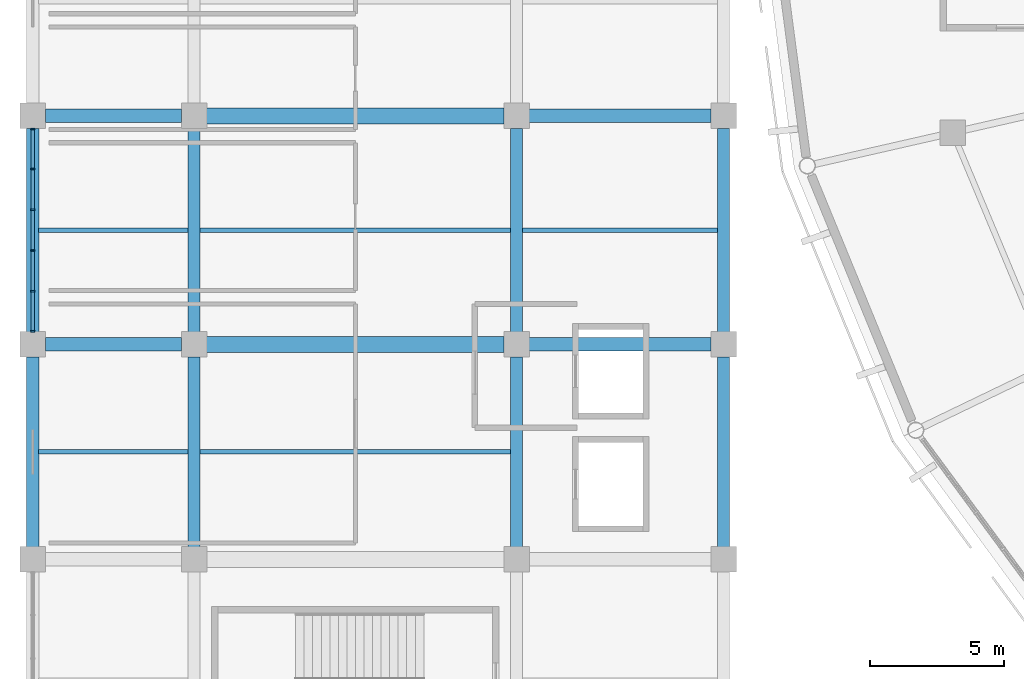
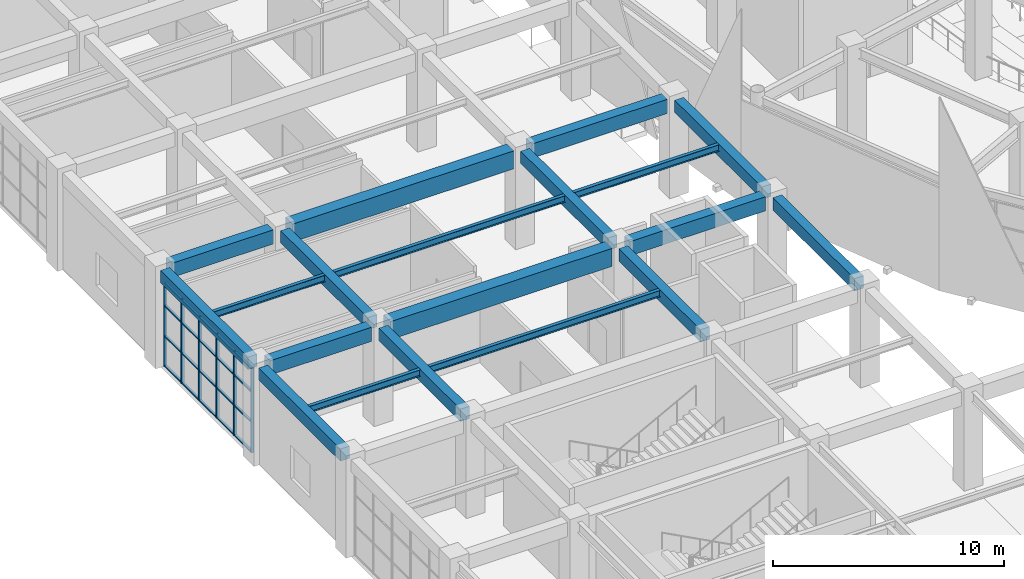
# One storey, part 18 of 120: 26 members, 19 beams, 1 element without a shape of its own.
"""IFC4 building model written with IfcOpenShell, lengths in metres."""

from ifc_helpers import new_model, si_unit, direction, frame, origin, origin_2d, place, context, subcontext, project, spatial, rectangle, i_section, extrude, material, material_profile, profile_set, type_object, element, aggregate, save


model = new_model("IFC4")

# Units and contexts
model_context = context("Model", 3, precision=1e-05, world=origin(), true_north=direction((0.0, 1.0)))
body_context = subcontext(model_context, "Body", "Model", "MODEL_VIEW")
ifc_project = project(units=[si_unit("LENGTHUNIT", "METRE"), si_unit("AREAUNIT", "SQUARE_METRE"), si_unit("VOLUMEUNIT", "CUBIC_METRE"), si_unit("PLANEANGLEUNIT", "RADIAN"), si_unit("MASSUNIT", "GRAM", prefix="KILO")], contexts=[model_context])

# Site, building, storey
site_placement = place(None, origin())
site = spatial("IfcSite", under=ifc_project, at=site_placement, CompositionType="ELEMENT")
building_placement = place(site_placement, origin())
building = spatial("IfcBuilding", under=site, at=building_placement, Name="Cuetzalor Civic Arena", CompositionType="ELEMENT")
storey_placement = place(building_placement, frame((0.0, 0.0, 6.0)))
storey = spatial("IfcBuildingStorey", under=building, at=storey_placement, Name="L01", CompositionType="ELEMENT", Elevation=6.0)

# Beams
ifc_material_1 = material(Name="Concrete C40/50", Category="concrete")
ifc_material_profile_1 = material_profile(ifc_material_1, rectangle(XDim=0.5, YDim=0.75, at=origin_2d()), Name="RC 500x750")
ifc_profile_set_1 = profile_set([ifc_material_profile_1], Name="Concrete C40/50")
beam_type_1 = type_object("IfcBeamType", Name="ConcreteFrameBeam_500x750", PredefinedType="BEAM", material=ifc_profile_set_1)
beam_1_placement = place(storey_placement, frame((-81.534912109375, -17.0, 4.7451171875), z_axis=(1.0, 0.0, 0.0), x_axis=(0.0, 1.0, 0.0)))
element("IfcBeam", 1, at=beam_1_placement, inside=storey, type_object=beam_type_1, Name="Frame Girder V4W-L01-X0360", PredefinedType="BEAM", context=body_context, shape_type="SweptSolid", body=[
    extrude(rectangle(XDim=0.5, YDim=0.75, at=origin_2d()), origin(), (0.0, 0.0, 1.0), 5.06982421875),
])
beam_2_placement = place(storey_placement, frame((-63.534912109375, -17.0, 4.7451171875), z_axis=(1.0, 0.0, 0.0), x_axis=(0.0, 1.0, 0.0)))
element("IfcBeam", 2, at=beam_2_placement, inside=storey, type_object=beam_type_1, Name="Frame Girder V4W-L01-X0362", PredefinedType="BEAM", context=body_context, shape_type="SweptSolid", body=[
    extrude(rectangle(XDim=0.5, YDim=0.75, at=origin_2d()), origin(), (0.0, 0.0, 1.0), 6.77001953125),
])
beam_3_placement = place(storey_placement, frame((-81.534912109375, -8.5, 4.7451171875), z_axis=(1.0, 0.0, 0.0), x_axis=(0.0, 1.0, 0.0)))
element("IfcBeam", 3, at=beam_3_placement, inside=storey, type_object=beam_type_1, Name="Frame Girder V4W-L01-X0363", PredefinedType="BEAM", context=body_context, shape_type="SweptSolid", body=[
    extrude(rectangle(XDim=0.5, YDim=0.75, at=origin_2d()), origin(), (0.0, 0.0, 1.0), 5.06982421875),
])
beam_4_placement = place(storey_placement, frame((-63.534912109375, -8.5, 4.7451171875), z_axis=(1.0, 0.0, 0.0), x_axis=(0.0, 1.0, 0.0)))
element("IfcBeam", 4, at=beam_4_placement, inside=storey, type_object=beam_type_1, Name="Frame Girder V4W-L01-X0365", PredefinedType="BEAM", context=body_context, shape_type="SweptSolid", body=[
    extrude(rectangle(XDim=0.5, YDim=0.75, at=origin_2d()), origin(), (0.0, 0.0, 1.0), 6.77001953125),
])
ifc_material_2 = material(Name="Concrete C40/50", Category="concrete")
ifc_material_profile_2 = material_profile(ifc_material_2, rectangle(XDim=0.60009765625, YDim=0.949951171875, at=origin_2d()), Name="RC 600x950")
ifc_profile_set_2 = profile_set([ifc_material_profile_2], Name="Concrete C40/50")
beam_type_2 = type_object("IfcBeamType", Name="ConcreteFrameBeam_600x950", PredefinedType="BEAM", material=ifc_profile_set_2)
for number, where, z_axis, x_axis, name in (
    (5, (-75.534912109375, -17.0, 4.64501953125), (1.0, 0.0, 0.0), (0.0, 1.0, 0.0), "Frame Girder V4W-L01-X0361"),
    (6, (-75.534912109375, -8.5, 4.64501953125), (1.0, 0.0, 0.0), (0.0, 1.0, 0.0), "Frame Girder V4W-L01-X0364"),
):
    element("IfcBeam", number, at=place(storey_placement, frame(where, z_axis=z_axis, x_axis=x_axis)), inside=storey, type_object=beam_type_2, Name=name, PredefinedType="BEAM", context=body_context, shape_type="SweptSolid", body=[
        extrude(rectangle(XDim=0.60009765625, YDim=0.949951171875, at=origin_2d()), origin(), (0.0, 0.0, 1.0), 11.06982421875),
    ])
ifc_material_3 = material(Name="Concrete C40/50", Category="concrete")
ifc_material_profile_3 = material_profile(ifc_material_3, rectangle(XDim=0.449951171875, YDim=0.64990234375, at=origin_2d()), Name="RC 450x650")
ifc_profile_set_3 = profile_set([ifc_material_profile_3], Name="Concrete C40/50")
beam_type_3 = type_object("IfcBeamType", Name="ConcreteTieBeam_450x650", PredefinedType="BEAM", material=ifc_profile_set_3)
beam_5_placement = place(storey_placement, frame((-82.0, -24.534912109375, 4.794921875), z_axis=(0.0, 1.0, 0.0), x_axis=(-1.0, 0.0, 0.0)))
element("IfcBeam", 7, at=beam_5_placement, inside=storey, type_object=beam_type_3, Name="Frame Girder V4W-L01-Y0384", PredefinedType="BEAM", context=body_context, shape_type="SweptSolid", body=[
    extrude(rectangle(XDim=0.449951171875, YDim=0.64990234375, at=origin_2d()), origin(), (0.0, 0.0, 1.0), 7.06982421875),
])
beam_6_placement = place(storey_placement, frame((-82.0, -16.534912109375, 4.794921875), z_axis=(0.0, 1.0, 0.0), x_axis=(-1.0, 0.0, 0.0)))
element("IfcBeam", 8, at=beam_6_placement, inside=storey, type_object=beam_type_3, Name="Frame Girder V4W-L01-Y0385", PredefinedType="BEAM", context=body_context, shape_type="SweptSolid", body=[
    extrude(rectangle(XDim=0.449951171875, YDim=0.64990234375, at=origin_2d()), origin(), (0.0, 0.0, 1.0), 7.56982421875),
])
beam_7_placement = place(storey_placement, frame((-76.0, -24.534912109375, 4.794921875), z_axis=(0.0, 1.0, 0.0), x_axis=(-1.0, 0.0, 0.0)))
element("IfcBeam", 9, at=beam_7_placement, inside=storey, type_object=beam_type_3, Name="Frame Girder V4W-L01-Y0394", PredefinedType="BEAM", context=body_context, shape_type="SweptSolid", body=[
    extrude(rectangle(XDim=0.449951171875, YDim=0.64990234375, at=origin_2d()), origin(), (0.0, 0.0, 1.0), 7.06982421875),
])
beam_8_placement = place(storey_placement, frame((-76.0, -16.534912109375, 4.794921875), z_axis=(0.0, 1.0, 0.0), x_axis=(-1.0, 0.0, 0.0)))
element("IfcBeam", 10, at=beam_8_placement, inside=storey, type_object=beam_type_3, Name="Frame Girder V4W-L01-Y0395", PredefinedType="BEAM", context=body_context, shape_type="SweptSolid", body=[
    extrude(rectangle(XDim=0.449951171875, YDim=0.64990234375, at=origin_2d()), origin(), (0.0, 0.0, 1.0), 7.56982421875),
])
beam_9_placement = place(storey_placement, frame((-64.0, -24.534912109375, 4.794921875), z_axis=(0.0, 1.0, 0.0), x_axis=(-1.0, 0.0, 0.0)))
element("IfcBeam", 11, at=beam_9_placement, inside=storey, type_object=beam_type_3, Name="Frame Girder V4W-L01-Y0404", PredefinedType="BEAM", context=body_context, shape_type="SweptSolid", body=[
    extrude(rectangle(XDim=0.449951171875, YDim=0.64990234375, at=origin_2d()), origin(), (0.0, 0.0, 1.0), 7.06982421875),
])
beam_10_placement = place(storey_placement, frame((-64.0, -16.534912109375, 4.794921875), z_axis=(0.0, 1.0, 0.0), x_axis=(-1.0, 0.0, 0.0)))
element("IfcBeam", 12, at=beam_10_placement, inside=storey, type_object=beam_type_3, Name="Frame Girder V4W-L01-Y0405", PredefinedType="BEAM", context=body_context, shape_type="SweptSolid", body=[
    extrude(rectangle(XDim=0.449951171875, YDim=0.64990234375, at=origin_2d()), origin(), (0.0, 0.0, 1.0), 7.56982421875),
])
beam_11_placement = place(storey_placement, frame((-56.300048828125, -24.534912109375, 4.794921875), z_axis=(0.0, 1.0, 0.0), x_axis=(-1.0, 0.0, 0.0)))
element("IfcBeam", 13, at=beam_11_placement, inside=storey, type_object=beam_type_3, Name="Frame Girder V4W-L01-Y0414", PredefinedType="BEAM", context=body_context, shape_type="SweptSolid", body=[
    extrude(rectangle(XDim=0.449951171875, YDim=0.64990234375, at=origin_2d()), origin(), (0.0, 0.0, 1.0), 7.06982421875),
])
beam_12_placement = place(storey_placement, frame((-56.300048828125, -16.534912109375, 4.794921875), z_axis=(0.0, 1.0, 0.0), x_axis=(-1.0, 0.0, 0.0)))
element("IfcBeam", 14, at=beam_12_placement, inside=storey, type_object=beam_type_3, Name="Frame Girder V4W-L01-Y0415", PredefinedType="BEAM", context=body_context, shape_type="SweptSolid", body=[
    extrude(rectangle(XDim=0.449951171875, YDim=0.64990234375, at=origin_2d()), origin(), (0.0, 0.0, 1.0), 7.56982421875),
])

# Curtain wall, members
ifc_material_4 = material(Name="Anodised dark bronze aluminium and low-E solar glass", Category="aluminium")
curtain_wall_type = type_object("IfcCurtainWallType", Name="UnitisedCW_7600x4450", PredefinedType="USERDEFINED", material=ifc_material_4)
curtain_wall_placement = place(storey_placement, origin())
curtain_wall = element("IfcCurtainWall", 15, at=curtain_wall_placement, inside=storey, type_object=curtain_wall_type, Name="V4W Suite Viewing Curtain Wall L01-110", ObjectType="UNITISED CURTAIN WALL", PredefinedType="USERDEFINED")
ifc_material_5 = material(Name="Anodised dark bronze aluminium", Category="aluminium")
ifc_material_profile_4 = material_profile(ifc_material_5, rectangle(XDim=0.06494140625, YDim=0.14990234375, at=origin_2d()), Name="ALU MULLION 65x150")
ifc_profile_set_4 = profile_set([ifc_material_profile_4], Name="Anodised dark bronze aluminium")
member_type_1 = type_object("IfcMemberType", Name="CurtainWallMullion_60x150", PredefinedType="MULLION", material=ifc_profile_set_4)
member_1_placement = place(storey_placement, frame((-82.0, -16.510498046875, 0.0), z_axis=(0.0, 0.0, 1.0), x_axis=(0.0, 1.0, 0.0)))
member_1 = element("IfcMember", 16, at=member_1_placement, type_object=member_type_1, Name="CW-38 mullion 1", PredefinedType="MULLION", context=body_context, shape_type="SweptSolid", body=[
    extrude(rectangle(XDim=0.06494140625, YDim=0.14990234375, at=origin_2d()), origin(), (0.0, 0.0, 1.0), 4.4599609375),
])
member_2_placement = place(storey_placement, frame((-82.0, -15.02587890625, 0.0), z_axis=(0.0, 0.0, 1.0), x_axis=(0.0, 1.0, 0.0)))
member_2 = element("IfcMember", 17, at=member_2_placement, type_object=member_type_1, Name="CW-38 mullion 2", PredefinedType="MULLION", context=body_context, shape_type="SweptSolid", body=[
    extrude(rectangle(XDim=0.06494140625, YDim=0.14990234375, at=origin_2d()), origin(), (0.0, 0.0, 1.0), 4.4599609375),
])
member_3_placement = place(storey_placement, frame((-82.0, -13.508544921875, 0.0), z_axis=(0.0, 0.0, 1.0), x_axis=(0.0, 1.0, 0.0)))
member_3 = element("IfcMember", 18, at=member_3_placement, type_object=member_type_1, Name="CW-38 mullion 3", PredefinedType="MULLION", context=body_context, shape_type="SweptSolid", body=[
    extrude(rectangle(XDim=0.06494140625, YDim=0.14990234375, at=origin_2d()), origin(), (0.0, 0.0, 1.0), 4.4599609375),
])
member_4_placement = place(storey_placement, frame((-82.0, -11.991455078125, 0.0), z_axis=(0.0, 0.0, 1.0), x_axis=(0.0, 1.0, 0.0)))
member_4 = element("IfcMember", 19, at=member_4_placement, type_object=member_type_1, Name="CW-38 mullion 4", PredefinedType="MULLION", context=body_context, shape_type="SweptSolid", body=[
    extrude(rectangle(XDim=0.06494140625, YDim=0.14990234375, at=origin_2d()), origin(), (0.0, 0.0, 1.0), 4.4599609375),
])
member_5_placement = place(storey_placement, frame((-82.0, -10.47412109375, 0.0), z_axis=(0.0, 0.0, 1.0), x_axis=(0.0, 1.0, 0.0)))
member_5 = element("IfcMember", 20, at=member_5_placement, type_object=member_type_1, Name="CW-38 mullion 5", PredefinedType="MULLION", context=body_context, shape_type="SweptSolid", body=[
    extrude(rectangle(XDim=0.06494140625, YDim=0.14990234375, at=origin_2d()), origin(), (0.0, 0.0, 1.0), 4.4599609375),
])
member_6_placement = place(storey_placement, frame((-82.0, -8.989501953125, 0.0), z_axis=(0.0, 0.0, 1.0), x_axis=(0.0, 1.0, 0.0)))
member_6 = element("IfcMember", 21, at=member_6_placement, type_object=member_type_1, Name="CW-38 mullion 6", PredefinedType="MULLION", context=body_context, shape_type="SweptSolid", body=[
    extrude(rectangle(XDim=0.06494140625, YDim=0.14990234375, at=origin_2d()), origin(), (0.0, 0.0, 1.0), 4.4599609375),
])
ifc_material_6 = material(Name="Anodised dark bronze aluminium", Category="aluminium")
ifc_material_profile_5 = material_profile(ifc_material_6, rectangle(XDim=0.1201171875, YDim=0.06494140625, at=origin_2d()), Name="ALU TRANSOM 65x120")
ifc_profile_set_5 = profile_set([ifc_material_profile_5], Name="Anodised dark bronze aluminium")
member_type_2 = type_object("IfcMemberType", Name="CurtainWallTransom_60x120", PredefinedType="USERDEFINED", material=ifc_profile_set_5)
member_7_placement = place(storey_placement, frame((-82.0, -16.47802734375, 0.032470703125), z_axis=(0.0, 1.0, 0.0), x_axis=(-1.0, 0.0, 0.0)))
member_7 = element("IfcMember", 22, at=member_7_placement, type_object=member_type_2, Name="CW-38 transom 1.1", ObjectType="TRANSOM", PredefinedType="USERDEFINED", context=body_context, shape_type="SweptSolid", body=[
    extrude(rectangle(XDim=0.1201171875, YDim=0.06494140625, at=origin_2d()), origin(), (0.0, 0.0, 1.0), 1.419677734375),
])
member_8_placement = place(storey_placement, frame((-82.0, -16.47802734375, 1.60595703125), z_axis=(0.0, 1.0, 0.0), x_axis=(-1.0, 0.0, 0.0)))
member_8 = element("IfcMember", 23, at=member_8_placement, type_object=member_type_2, Name="CW-38 transom 1.2", ObjectType="TRANSOM", PredefinedType="USERDEFINED", context=body_context, shape_type="SweptSolid", body=[
    extrude(rectangle(XDim=0.1201171875, YDim=0.06494140625, at=origin_2d()), origin(), (0.0, 0.0, 1.0), 1.419677734375),
])
member_9_placement = place(storey_placement, frame((-82.0, -16.47802734375, 3.2109375), z_axis=(0.0, 1.0, 0.0), x_axis=(-1.0, 0.0, 0.0)))
member_9 = element("IfcMember", 24, at=member_9_placement, type_object=member_type_2, Name="CW-38 transom 1.3", ObjectType="TRANSOM", PredefinedType="USERDEFINED", context=body_context, shape_type="SweptSolid", body=[
    extrude(rectangle(XDim=0.1201171875, YDim=0.06494140625, at=origin_2d()), origin(), (0.0, 0.0, 1.0), 1.419677734375),
])
member_10_placement = place(storey_placement, frame((-82.0, -16.47802734375, 4.427490234375), z_axis=(0.0, 1.0, 0.0), x_axis=(-1.0, 0.0, 0.0)))
member_10 = element("IfcMember", 25, at=member_10_placement, type_object=member_type_2, Name="CW-38 transom 1.4", ObjectType="TRANSOM", PredefinedType="USERDEFINED", context=body_context, shape_type="SweptSolid", body=[
    extrude(rectangle(XDim=0.1201171875, YDim=0.06494140625, at=origin_2d()), origin(), (0.0, 0.0, 1.0), 1.419677734375),
])
member_11_placement = place(storey_placement, frame((-82.0, -14.993408203125, 0.032470703125), z_axis=(0.0, 1.0, 0.0), x_axis=(-1.0, 0.0, 0.0)))
member_11 = element("IfcMember", 26, at=member_11_placement, type_object=member_type_2, Name="CW-38 transom 2.1", ObjectType="TRANSOM", PredefinedType="USERDEFINED", context=body_context, shape_type="SweptSolid", body=[
    extrude(rectangle(XDim=0.1201171875, YDim=0.06494140625, at=origin_2d()), origin(), (0.0, 0.0, 1.0), 1.452392578125),
])
member_12_placement = place(storey_placement, frame((-82.0, -14.993408203125, 1.60595703125), z_axis=(0.0, 1.0, 0.0), x_axis=(-1.0, 0.0, 0.0)))
member_12 = element("IfcMember", 27, at=member_12_placement, type_object=member_type_2, Name="CW-38 transom 2.2", ObjectType="TRANSOM", PredefinedType="USERDEFINED", context=body_context, shape_type="SweptSolid", body=[
    extrude(rectangle(XDim=0.1201171875, YDim=0.06494140625, at=origin_2d()), origin(), (0.0, 0.0, 1.0), 1.452392578125),
])
member_13_placement = place(storey_placement, frame((-82.0, -14.993408203125, 3.2109375), z_axis=(0.0, 1.0, 0.0), x_axis=(-1.0, 0.0, 0.0)))
member_13 = element("IfcMember", 28, at=member_13_placement, type_object=member_type_2, Name="CW-38 transom 2.3", ObjectType="TRANSOM", PredefinedType="USERDEFINED", context=body_context, shape_type="SweptSolid", body=[
    extrude(rectangle(XDim=0.1201171875, YDim=0.06494140625, at=origin_2d()), origin(), (0.0, 0.0, 1.0), 1.452392578125),
])
member_14_placement = place(storey_placement, frame((-82.0, -14.993408203125, 4.427490234375), z_axis=(0.0, 1.0, 0.0), x_axis=(-1.0, 0.0, 0.0)))
member_14 = element("IfcMember", 29, at=member_14_placement, type_object=member_type_2, Name="CW-38 transom 2.4", ObjectType="TRANSOM", PredefinedType="USERDEFINED", context=body_context, shape_type="SweptSolid", body=[
    extrude(rectangle(XDim=0.1201171875, YDim=0.06494140625, at=origin_2d()), origin(), (0.0, 0.0, 1.0), 1.452392578125),
])
member_15_placement = place(storey_placement, frame((-82.0, -13.47607421875, 0.032470703125), z_axis=(0.0, 1.0, 0.0), x_axis=(-1.0, 0.0, 0.0)))
member_15 = element("IfcMember", 30, at=member_15_placement, type_object=member_type_2, Name="CW-38 transom 3.1", ObjectType="TRANSOM", PredefinedType="USERDEFINED", context=body_context, shape_type="SweptSolid", body=[
    extrude(rectangle(XDim=0.1201171875, YDim=0.06494140625, at=origin_2d()), origin(), (0.0, 0.0, 1.0), 1.4521484375),
])
member_16_placement = place(storey_placement, frame((-82.0, -13.47607421875, 1.60595703125), z_axis=(0.0, 1.0, 0.0), x_axis=(-1.0, 0.0, 0.0)))
member_16 = element("IfcMember", 31, at=member_16_placement, type_object=member_type_2, Name="CW-38 transom 3.2", ObjectType="TRANSOM", PredefinedType="USERDEFINED", context=body_context, shape_type="SweptSolid", body=[
    extrude(rectangle(XDim=0.1201171875, YDim=0.06494140625, at=origin_2d()), origin(), (0.0, 0.0, 1.0), 1.4521484375),
])
member_17_placement = place(storey_placement, frame((-82.0, -13.47607421875, 3.2109375), z_axis=(0.0, 1.0, 0.0), x_axis=(-1.0, 0.0, 0.0)))
member_17 = element("IfcMember", 32, at=member_17_placement, type_object=member_type_2, Name="CW-38 transom 3.3", ObjectType="TRANSOM", PredefinedType="USERDEFINED", context=body_context, shape_type="SweptSolid", body=[
    extrude(rectangle(XDim=0.1201171875, YDim=0.06494140625, at=origin_2d()), origin(), (0.0, 0.0, 1.0), 1.4521484375),
])
member_18_placement = place(storey_placement, frame((-82.0, -13.47607421875, 4.427490234375), z_axis=(0.0, 1.0, 0.0), x_axis=(-1.0, 0.0, 0.0)))
member_18 = element("IfcMember", 33, at=member_18_placement, type_object=member_type_2, Name="CW-38 transom 3.4", ObjectType="TRANSOM", PredefinedType="USERDEFINED", context=body_context, shape_type="SweptSolid", body=[
    extrude(rectangle(XDim=0.1201171875, YDim=0.06494140625, at=origin_2d()), origin(), (0.0, 0.0, 1.0), 1.4521484375),
])
member_19_placement = place(storey_placement, frame((-82.0, -11.958984375, 0.032470703125), z_axis=(0.0, 1.0, 0.0), x_axis=(-1.0, 0.0, 0.0)))
member_19 = element("IfcMember", 34, at=member_19_placement, type_object=member_type_2, Name="CW-38 transom 4.1", ObjectType="TRANSOM", PredefinedType="USERDEFINED", context=body_context, shape_type="SweptSolid", body=[
    extrude(rectangle(XDim=0.1201171875, YDim=0.06494140625, at=origin_2d()), origin(), (0.0, 0.0, 1.0), 1.452392578125),
])
member_20_placement = place(storey_placement, frame((-82.0, -11.958984375, 1.60595703125), z_axis=(0.0, 1.0, 0.0), x_axis=(-1.0, 0.0, 0.0)))
member_20 = element("IfcMember", 35, at=member_20_placement, type_object=member_type_2, Name="CW-38 transom 4.2", ObjectType="TRANSOM", PredefinedType="USERDEFINED", context=body_context, shape_type="SweptSolid", body=[
    extrude(rectangle(XDim=0.1201171875, YDim=0.06494140625, at=origin_2d()), origin(), (0.0, 0.0, 1.0), 1.452392578125),
])
member_21_placement = place(storey_placement, frame((-82.0, -11.958984375, 3.2109375), z_axis=(0.0, 1.0, 0.0), x_axis=(-1.0, 0.0, 0.0)))
member_21 = element("IfcMember", 36, at=member_21_placement, type_object=member_type_2, Name="CW-38 transom 4.3", ObjectType="TRANSOM", PredefinedType="USERDEFINED", context=body_context, shape_type="SweptSolid", body=[
    extrude(rectangle(XDim=0.1201171875, YDim=0.06494140625, at=origin_2d()), origin(), (0.0, 0.0, 1.0), 1.452392578125),
])
member_22_placement = place(storey_placement, frame((-82.0, -11.958984375, 4.427490234375), z_axis=(0.0, 1.0, 0.0), x_axis=(-1.0, 0.0, 0.0)))
member_22 = element("IfcMember", 37, at=member_22_placement, type_object=member_type_2, Name="CW-38 transom 4.4", ObjectType="TRANSOM", PredefinedType="USERDEFINED", context=body_context, shape_type="SweptSolid", body=[
    extrude(rectangle(XDim=0.1201171875, YDim=0.06494140625, at=origin_2d()), origin(), (0.0, 0.0, 1.0), 1.452392578125),
])
member_23_placement = place(storey_placement, frame((-82.0, -10.441650390625, 0.032470703125), z_axis=(0.0, 1.0, 0.0), x_axis=(-1.0, 0.0, 0.0)))
member_23 = element("IfcMember", 38, at=member_23_placement, type_object=member_type_2, Name="CW-38 transom 5.1", ObjectType="TRANSOM", PredefinedType="USERDEFINED", context=body_context, shape_type="SweptSolid", body=[
    extrude(rectangle(XDim=0.1201171875, YDim=0.06494140625, at=origin_2d()), origin(), (0.0, 0.0, 1.0), 1.419677734375),
])
member_24_placement = place(storey_placement, frame((-82.0, -10.441650390625, 1.60595703125), z_axis=(0.0, 1.0, 0.0), x_axis=(-1.0, 0.0, 0.0)))
member_24 = element("IfcMember", 39, at=member_24_placement, type_object=member_type_2, Name="CW-38 transom 5.2", ObjectType="TRANSOM", PredefinedType="USERDEFINED", context=body_context, shape_type="SweptSolid", body=[
    extrude(rectangle(XDim=0.1201171875, YDim=0.06494140625, at=origin_2d()), origin(), (0.0, 0.0, 1.0), 1.419677734375),
])
member_25_placement = place(storey_placement, frame((-82.0, -10.441650390625, 3.2109375), z_axis=(0.0, 1.0, 0.0), x_axis=(-1.0, 0.0, 0.0)))
member_25 = element("IfcMember", 40, at=member_25_placement, type_object=member_type_2, Name="CW-38 transom 5.3", ObjectType="TRANSOM", PredefinedType="USERDEFINED", context=body_context, shape_type="SweptSolid", body=[
    extrude(rectangle(XDim=0.1201171875, YDim=0.06494140625, at=origin_2d()), origin(), (0.0, 0.0, 1.0), 1.419677734375),
])
member_26_placement = place(storey_placement, frame((-82.0, -10.441650390625, 4.427490234375), z_axis=(0.0, 1.0, 0.0), x_axis=(-1.0, 0.0, 0.0)))
member_26 = element("IfcMember", 41, at=member_26_placement, type_object=member_type_2, Name="CW-38 transom 5.4", ObjectType="TRANSOM", PredefinedType="USERDEFINED", context=body_context, shape_type="SweptSolid", body=[
    extrude(rectangle(XDim=0.1201171875, YDim=0.06494140625, at=origin_2d()), origin(), (0.0, 0.0, 1.0), 1.419677734375),
])
aggregate(curtain_wall, [member_1, member_2, member_3, member_4, member_5, member_6, member_7, member_8, member_9, member_10, member_11, member_12, member_13, member_14, member_15, member_16, member_17, member_18, member_19, member_20, member_21, member_22, member_23, member_24, member_25, member_26])

# Beams
ifc_material_7 = material(Name="Steel S355", Category="steel")
ifc_material_profile_6 = material_profile(ifc_material_7, i_section(OverallWidth=0.1708984375, OverallDepth=0.35498046875, WebThickness=0.007080078125, FlangeThickness=0.01171875, at=origin_2d()), Name="W360x51")
ifc_profile_set_6 = profile_set([ifc_material_profile_6], Name="Steel S355")
beam_type_4 = type_object("IfcBeamType", Name="SecondaryFloorJoist_W360", PredefinedType="JOIST", material=ifc_profile_set_6)
for number, where, z_axis, x_axis, name in (
    (42, (-81.782958984375, -21.0, 4.9423828125), (1.0, 0.0, 0.0), (0.0, 1.0, 0.0), "Secondary Floor Joist V4W-L01-0108"),
    (43, (-81.782958984375, -12.75, 4.9423828125), (1.0, 0.0, 0.0), (0.0, 1.0, 0.0), "Secondary Floor Joist V4W-L01-0109"),
):
    element("IfcBeam", number, at=place(storey_placement, frame(where, z_axis=z_axis, x_axis=x_axis)), inside=storey, type_object=beam_type_4, Name=name, PredefinedType="JOIST", context=body_context, shape_type="SweptSolid", body=[
        extrude(i_section(OverallWidth=0.1708984375, OverallDepth=0.35498046875, WebThickness=0.007080078125, FlangeThickness=0.01171875, at=origin_2d()), origin(), (0.0, 0.0, 1.0), 5.56591796875),
    ])
for number, where, z_axis, x_axis, name in (
    (44, (-75.782958984375, -21.0, 4.9423828125), (1.0, 0.0, 0.0), (0.0, 1.0, 0.0), "Secondary Floor Joist V4W-L01-0116"),
    (45, (-75.782958984375, -12.75, 4.9423828125), (1.0, 0.0, 0.0), (0.0, 1.0, 0.0), "Secondary Floor Joist V4W-L01-0117"),
):
    element("IfcBeam", number, at=place(storey_placement, frame(where, z_axis=z_axis, x_axis=x_axis)), inside=storey, type_object=beam_type_4, Name=name, PredefinedType="JOIST", context=body_context, shape_type="SweptSolid", body=[
        extrude(i_section(OverallWidth=0.1708984375, OverallDepth=0.35498046875, WebThickness=0.007080078125, FlangeThickness=0.01171875, at=origin_2d()), origin(), (0.0, 0.0, 1.0), 11.56591796875),
    ])
beam_13_placement = place(storey_placement, frame((-63.782958984375, -12.75, 4.9423828125), z_axis=(1.0, 0.0, 0.0), x_axis=(0.0, 1.0, 0.0)))
element("IfcBeam", 46, at=beam_13_placement, inside=storey, type_object=beam_type_4, Name="Secondary Floor Joist V4W-L01-0125", PredefinedType="JOIST", context=body_context, shape_type="SweptSolid", body=[
    extrude(i_section(OverallWidth=0.1708984375, OverallDepth=0.35498046875, WebThickness=0.007080078125, FlangeThickness=0.01171875, at=origin_2d()), origin(), (0.0, 0.0, 1.0), 7.265869140625),
])

save(model, "model.ifc")
